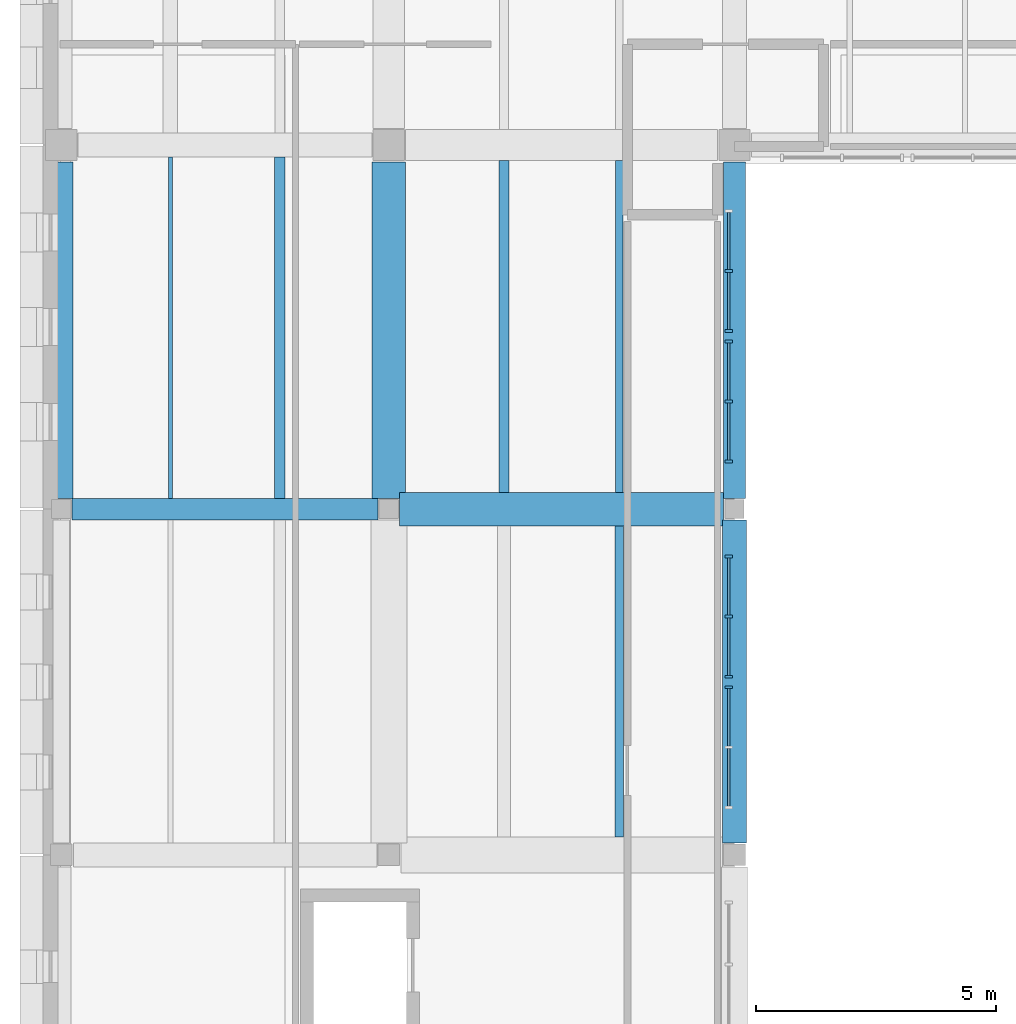
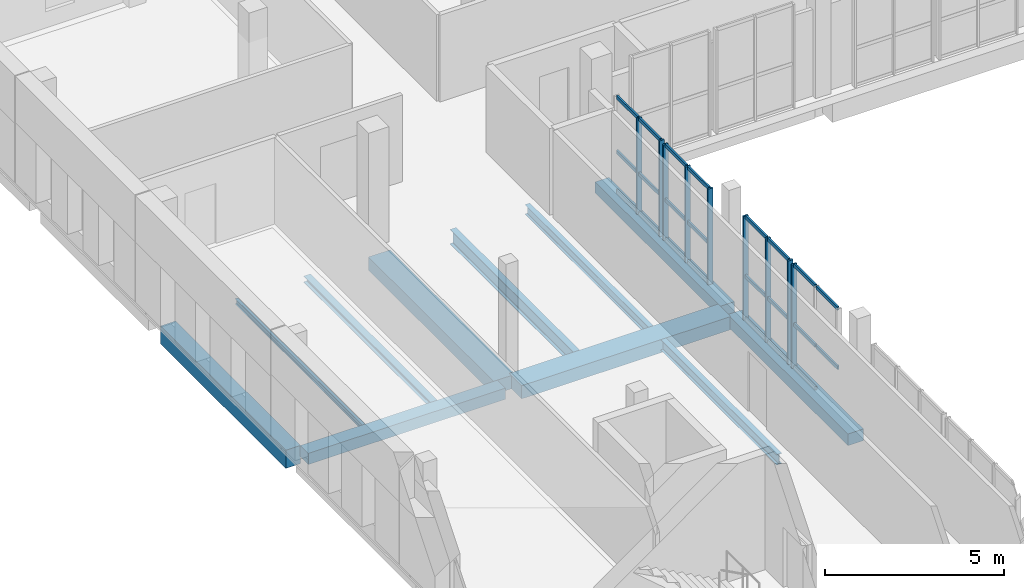
# One storey, part 23 of 76: 32 members, 11 beams, 4 elements without a shape of their own.
"""IFC4 building model written with IfcOpenShell, lengths in metres."""

from ifc_helpers import new_model, si_unit, direction, frame, origin, origin_2d, place, context, subcontext, project, spatial, rectangle, i_section, extrude, material, layer, layer_set, material_profile, profile_set, type_object, element, aggregate, save


model = new_model("IFC4")

# Units and contexts
model_context = context("Model", 3, precision=1e-05, world=origin(), true_north=direction((0.0, 1.0)))
body_context = subcontext(model_context, "Body", "Model", "MODEL_VIEW")
ifc_project = project(units=[si_unit("LENGTHUNIT", "METRE"), si_unit("AREAUNIT", "SQUARE_METRE"), si_unit("VOLUMEUNIT", "CUBIC_METRE"), si_unit("PLANEANGLEUNIT", "RADIAN"), si_unit("MASSUNIT", "GRAM", prefix="KILO")], contexts=[model_context])

# Site, building, storey
site_placement = place(None, origin())
site = spatial("IfcSite", under=ifc_project, at=site_placement, CompositionType="ELEMENT")
building_placement = place(site_placement, origin())
building = spatial("IfcBuilding", under=site, at=building_placement, Name="Vardoun Plaza Health Centre", CompositionType="ELEMENT")
storey_placement = place(building_placement, frame((0.0, 0.0, 4.5)))
storey = spatial("IfcBuildingStorey", under=building, at=storey_placement, Name="L01", CompositionType="ELEMENT", Elevation=4.5)

# Beams
ifc_material_1 = material(Name="Concrete C35/45", Category="concrete")
ifc_material_profile_1 = material_profile(ifc_material_1, rectangle(XDim=0.449951171875, YDim=0.3798828125, at=origin_2d()), Name="RC-BM 450x380")
ifc_profile_set_1 = profile_set([ifc_material_profile_1], Name="Concrete C35/45")
beam_type_1 = type_object("IfcBeamType", Name="B-01", PredefinedType="BEAM", material=ifc_profile_set_1)
beam_1_placement = place(storey_placement, frame((5.10498046875, 93.900146484375, -0.455078125), z_axis=(1.0, 0.0, 0.0), x_axis=(0.0, 1.0, 0.0)))
element("IfcBeam", 1, at=beam_1_placement, inside=storey, type_object=beam_type_1, Name="V3 L01 Beam B-V3-L01-X03", PredefinedType="BEAM", context=body_context, shape_type="SweptSolid", body=[
    extrude(rectangle(XDim=0.449951171875, YDim=0.3798828125, at=origin_2d()), origin(), (0.0, 0.0, 1.0), 6.3701171875),
])
beam_2_placement = place(storey_placement, frame((18.89990234375, 94.125, -0.455078125), z_axis=(0.0, 1.0, 0.0), x_axis=(-1.0, 0.0, 0.0)))
element("IfcBeam", 2, at=beam_2_placement, inside=storey, type_object=beam_type_1, Name="V3 L01 Beam B-V3-L01-Y36", PredefinedType="BEAM", context=body_context, shape_type="SweptSolid", body=[
    extrude(rectangle(XDim=0.449951171875, YDim=0.3798828125, at=origin_2d()), origin(), (0.0, 0.0, 1.0), 7.0048828125),
])
ifc_material_2 = material(Name="Concrete C35/45", Category="concrete")
ifc_material_profile_2 = material_profile(ifc_material_2, rectangle(XDim=0.47998046875, YDim=0.6201171875, at=origin_2d()), Name="RC-BM 480x620")
ifc_profile_set_2 = profile_set([ifc_material_profile_2], Name="Concrete C35/45")
beam_type_2 = type_object("IfcBeamType", Name="B-12", PredefinedType="SPANDREL", material=ifc_profile_set_2)
beam_3_placement = place(storey_placement, frame((4.8798828125, 94.125, -0.574951171875), z_axis=(0.0, 1.0, 0.0), x_axis=(-1.0, 0.0, 0.0)))
element("IfcBeam", 3, at=beam_3_placement, inside=storey, type_object=beam_type_2, Name="V3 L01 Beam B-V3-L01-Y27", PredefinedType="SPANDREL", context=body_context, shape_type="SweptSolid", body=[
    extrude(rectangle(XDim=0.47998046875, YDim=0.6201171875, at=origin_2d()), origin(), (0.0, 0.0, 1.0), 7.0048828125),
])
ifc_material_3 = material(Name="Concrete C35/45", Category="concrete")
ifc_material_profile_3 = material_profile(ifc_material_3, rectangle(XDim=0.5, YDim=0.39990234375, at=origin_2d()), Name="RC-BM 500x400")
ifc_profile_set_3 = profile_set([ifc_material_profile_3], Name="Concrete C35/45")
beam_type_3 = type_object("IfcBeamType", Name="B-02", PredefinedType="BEAM", material=ifc_profile_set_3)
beam_4_placement = place(storey_placement, frame((18.89990234375, 86.949951171875, -0.465087890625), z_axis=(0.0, 1.0, 0.0), x_axis=(-1.0, 0.0, 0.0)))
element("IfcBeam", 4, at=beam_4_placement, inside=storey, type_object=beam_type_3, Name="V3 L01 Beam B-V3-L01-Y35", PredefinedType="BEAM", context=body_context, shape_type="SweptSolid", body=[
    extrude(rectangle(XDim=0.5, YDim=0.39990234375, at=origin_2d()), origin(), (0.0, 0.0, 1.0), 6.72509765625),
])
ifc_material_4 = material(Name="Concrete C35/45", Category="concrete")
ifc_material_profile_4 = material_profile(ifc_material_4, rectangle(XDim=0.699951171875, YDim=0.449951171875, at=origin_2d()), Name="RC-BM 700x450")
ifc_profile_set_4 = profile_set([ifc_material_profile_4], Name="Concrete C35/45")
beam_type_4 = type_object("IfcBeamType", Name="B-06", PredefinedType="BEAM", material=ifc_profile_set_4)
beam_5_placement = place(storey_placement, frame((11.925048828125, 93.900146484375, -0.489990234375), z_axis=(1.0, 0.0, 0.0), x_axis=(0.0, 1.0, 0.0)))
element("IfcBeam", 5, at=beam_5_placement, inside=storey, type_object=beam_type_4, Name="V3 L01 Beam B-V3-L01-X09", PredefinedType="BEAM", context=body_context, shape_type="SweptSolid", body=[
    extrude(rectangle(XDim=0.699951171875, YDim=0.449951171875, at=origin_2d()), origin(), (0.0, 0.0, 1.0), 6.75),
])
beam_6_placement = place(storey_placement, frame((11.699951171875, 94.125, -0.489990234375), z_axis=(0.0, 1.0, 0.0), x_axis=(-1.0, 0.0, 0.0)))
element("IfcBeam", 6, at=beam_6_placement, inside=storey, type_object=beam_type_4, Name="V3 L01 Beam B-V3-L01-Y31", PredefinedType="BEAM", context=body_context, shape_type="SweptSolid", body=[
    extrude(rectangle(XDim=0.699951171875, YDim=0.449951171875, at=origin_2d()), origin(), (0.0, 0.0, 1.0), 7.0048828125),
])
ifc_material_5 = material(Name="Steel S355J2", Category="steel")
ifc_material_profile_5 = material_profile(ifc_material_5, i_section(OverallWidth=0.219970703125, OverallDepth=0.2099609375, WebThickness=0.007080078125, FlangeThickness=0.010986328125, FilletRadius=0.01806640625, at=origin_2d()), Name="HEA 220")
ifc_profile_set_5 = profile_set([ifc_material_profile_5], Name="Steel S355J2")
beam_type_5 = type_object("IfcBeamType", Name="SB-08", PredefinedType="BEAM", material=ifc_profile_set_5)
beam_7_placement = place(storey_placement, frame((9.427001953125, 94.125, -0.3701171875), z_axis=(0.0, 1.0, 0.0), x_axis=(-1.0, 0.0, 0.0)))
element("IfcBeam", 7, at=beam_7_placement, inside=storey, type_object=beam_type_5, Name="V3 L01 Secondary Floor Beam SJ-V3-L01-06", PredefinedType="BEAM", context=body_context, shape_type="SweptSolid", body=[
    extrude(i_section(OverallWidth=0.219970703125, OverallDepth=0.2099609375, WebThickness=0.007080078125, FlangeThickness=0.010986328125, FilletRadius=0.01806640625, at=origin_2d()), origin(), (0.0, 0.0, 1.0), 7.10498046875),
])
ifc_material_6 = material(Name="Steel S355J2", Category="steel")
ifc_material_profile_6 = material_profile(ifc_material_6, i_section(OverallWidth=0.091064453125, OverallDepth=0.179931640625, WebThickness=0.00537109375, FlangeThickness=0.008056640625, FilletRadius=0.009033203125, at=origin_2d()), Name="IPE 180")
ifc_profile_set_6 = profile_set([ifc_material_profile_6], Name="Steel S355J2")
beam_type_6 = type_object("IfcBeamType", Name="SB-20", PredefinedType="SPANDREL", material=ifc_profile_set_6)
beam_8_placement = place(storey_placement, frame((7.153076171875, 94.125, -0.35498046875), z_axis=(0.0, 1.0, 0.0), x_axis=(-1.0, 0.0, 0.0)))
element("IfcBeam", 8, at=beam_8_placement, inside=storey, type_object=beam_type_6, Name="V3 L01 Secondary Floor Beam SJ-V3-L01-02", PredefinedType="SPANDREL", context=body_context, shape_type="SweptSolid", body=[
    extrude(i_section(OverallWidth=0.091064453125, OverallDepth=0.179931640625, WebThickness=0.00537109375, FlangeThickness=0.008056640625, FilletRadius=0.009033203125, at=origin_2d()), origin(), (0.0, 0.0, 1.0), 7.10498046875),
])
ifc_material_7 = material(Name="Steel S355J2", Category="steel")
ifc_material_profile_7 = material_profile(ifc_material_7, i_section(OverallWidth=0.159912109375, OverallDepth=0.330078125, WebThickness=0.007568359375, FlangeThickness=0.011474609375, FilletRadius=0.01806640625, at=origin_2d()), Name="IPE 330")
ifc_profile_set_7 = profile_set([ifc_material_profile_7], Name="Steel S355J2")
beam_type_7 = type_object("IfcBeamType", Name="SB-14", PredefinedType="JOIST", material=ifc_profile_set_7)
beam_9_placement = place(storey_placement, frame((16.500244140625, 94.25, -0.429931640625), z_axis=(0.0, 1.0, 0.0), x_axis=(-1.0, 0.0, 0.0)))
element("IfcBeam", 9, at=beam_9_placement, inside=storey, type_object=beam_type_7, Name="V3 L01 Secondary Floor Beam SJ-V3-L01-14", PredefinedType="JOIST", context=body_context, shape_type="SweptSolid", body=[
    extrude(i_section(OverallWidth=0.159912109375, OverallDepth=0.330078125, WebThickness=0.007568359375, FlangeThickness=0.011474609375, FilletRadius=0.01806640625, at=origin_2d()), origin(), (0.0, 0.0, 1.0), 6.905029296875),
])
ifc_material_8 = material(Name="Steel S355J2", Category="steel")
ifc_material_profile_8 = material_profile(ifc_material_8, i_section(OverallWidth=0.169921875, OverallDepth=0.360107421875, WebThickness=0.008056640625, FlangeThickness=0.0126953125, FilletRadius=0.01806640625, at=origin_2d()), Name="IPE 360")
ifc_profile_set_8 = profile_set([ifc_material_profile_8], Name="Steel S355J2")
beam_type_8 = type_object("IfcBeamType", Name="SB-13", PredefinedType="JOIST", material=ifc_profile_set_8)
beam_10_placement = place(storey_placement, frame((16.500244140625, 87.074951171875, -0.445068359375), z_axis=(0.0, 1.0, 0.0), x_axis=(-1.0, 0.0, 0.0)))
element("IfcBeam", 10, at=beam_10_placement, inside=storey, type_object=beam_type_8, Name="V3 L01 Secondary Floor Beam SJ-V3-L01-13", PredefinedType="JOIST", context=body_context, shape_type="SweptSolid", body=[
    extrude(i_section(OverallWidth=0.169921875, OverallDepth=0.360107421875, WebThickness=0.008056640625, FlangeThickness=0.0126953125, FilletRadius=0.01806640625, at=origin_2d()), origin(), (0.0, 0.0, 1.0), 6.47509765625),
])
ifc_material_9 = material(Name="Steel S355J2", Category="steel")
ifc_material_profile_9 = material_profile(ifc_material_9, i_section(OverallWidth=0.199951171875, OverallDepth=0.5, WebThickness=0.01025390625, FlangeThickness=0.01611328125, FilletRadius=0.02099609375, at=origin_2d()), Name="IPE 500")
ifc_profile_set_9 = profile_set([ifc_material_profile_9], Name="Steel S355J2")
beam_type_9 = type_object("IfcBeamType", Name="SB-10", PredefinedType="BEAM", material=ifc_profile_set_9)
beam_11_placement = place(storey_placement, frame((14.099853515625, 94.25, -0.514892578125), z_axis=(0.0, 1.0, 0.0), x_axis=(-1.0, 0.0, 0.0)))
element("IfcBeam", 11, at=beam_11_placement, inside=storey, type_object=beam_type_9, Name="V3 L01 Secondary Floor Beam SJ-V3-L01-10", PredefinedType="BEAM", context=body_context, shape_type="SweptSolid", body=[
    extrude(i_section(OverallWidth=0.199951171875, OverallDepth=0.5, WebThickness=0.01025390625, FlangeThickness=0.01611328125, FilletRadius=0.02099609375, at=origin_2d()), origin(), (0.0, 0.0, 1.0), 6.905029296875),
])

# Curtain wall, members
ifc_material_10 = material(Name="Aluminium Alloy EN AW-6063-T6 and Low-E Glass", Category="aluminium")
ifc_layer = layer(ifc_material_10, 0.159912109375)
ifc_layer_set = layer_set([ifc_layer], Name="Aluminium Alloy EN AW-6063-T6 and Low-E Glass")
curtain_wall_type = type_object("IfcCurtainWallType", Name="CW-02", PredefinedType="USERDEFINED", material=ifc_layer_set)
curtain_wall_1_placement = place(storey_placement, origin())
curtain_wall_1 = element("IfcCurtainWall", 12, at=curtain_wall_1_placement, inside=storey, type_object=curtain_wall_type, Name="Curtain Wall CW-V3-067", ObjectType="COURTYARD_CURTAIN_WALL", PredefinedType="USERDEFINED")
ifc_material_11 = material(Name="Aluminium Alloy EN AW-6063-T6", Category="aluminium")
ifc_material_profile_10 = material_profile(ifc_material_11, rectangle(XDim=0.159912109375, YDim=0.06005859375, at=origin_2d()), Name="CWM 60x160")
ifc_profile_set_10 = profile_set([ifc_material_profile_10], Name="Aluminium Alloy EN AW-6063-T6")
member_type_1 = type_object("IfcMemberType", Name="CW-M1", PredefinedType="MULLION", material=ifc_profile_set_10)
member_1_placement = place(storey_placement, frame((18.780029296875, 98.860107421875, 0.0), z_axis=(0.0, 0.0, 1.0), x_axis=(1.0, 0.0, 0.0)))
member_1 = element("IfcMember", 13, at=member_1_placement, type_object=member_type_1, Name="CW-V3-067 mullion 2", PredefinedType="MULLION", context=body_context, shape_type="SweptSolid", body=[
    extrude(rectangle(XDim=0.159912109375, YDim=0.06005859375, at=origin_2d()), origin(), (0.0, 0.0, 1.0), 3.27001953125),
])
member_2_placement = place(storey_placement, frame((18.780029296875, 97.610107421875, 0.0), z_axis=(0.0, 0.0, 1.0), x_axis=(1.0, 0.0, 0.0)))
member_2 = element("IfcMember", 14, at=member_2_placement, type_object=member_type_1, Name="CW-V3-067 mullion 3", PredefinedType="MULLION", context=body_context, shape_type="SweptSolid", body=[
    extrude(rectangle(XDim=0.159912109375, YDim=0.06005859375, at=origin_2d()), origin(), (0.0, 0.0, 1.0), 3.27001953125),
])

curtain_wall_2_placement = place(storey_placement, origin())
curtain_wall_2 = element("IfcCurtainWall", 15, at=curtain_wall_2_placement, inside=storey, type_object=curtain_wall_type, Name="Curtain Wall CW-V3-068", ObjectType="COURTYARD_CURTAIN_WALL", PredefinedType="USERDEFINED")
member_3_placement = place(storey_placement, frame((18.780029296875, 97.389892578125, 0.0), z_axis=(0.0, 0.0, 1.0), x_axis=(1.0, 0.0, 0.0)))
member_3 = element("IfcMember", 16, at=member_3_placement, type_object=member_type_1, Name="CW-V3-068 mullion 1", PredefinedType="MULLION", context=body_context, shape_type="SweptSolid", body=[
    extrude(rectangle(XDim=0.159912109375, YDim=0.06005859375, at=origin_2d()), origin(), (0.0, 0.0, 1.0), 3.27001953125),
])
member_4_placement = place(storey_placement, frame((18.780029296875, 96.139892578125, 0.0), z_axis=(0.0, 0.0, 1.0), x_axis=(1.0, 0.0, 0.0)))
member_4 = element("IfcMember", 17, at=member_4_placement, type_object=member_type_1, Name="CW-V3-068 mullion 2", PredefinedType="MULLION", context=body_context, shape_type="SweptSolid", body=[
    extrude(rectangle(XDim=0.159912109375, YDim=0.06005859375, at=origin_2d()), origin(), (0.0, 0.0, 1.0), 3.27001953125),
])
member_5_placement = place(storey_placement, frame((18.780029296875, 94.889892578125, 0.0), z_axis=(0.0, 0.0, 1.0), x_axis=(1.0, 0.0, 0.0)))
member_5 = element("IfcMember", 18, at=member_5_placement, type_object=member_type_1, Name="CW-V3-068 mullion 3", PredefinedType="MULLION", context=body_context, shape_type="SweptSolid", body=[
    extrude(rectangle(XDim=0.159912109375, YDim=0.06005859375, at=origin_2d()), origin(), (0.0, 0.0, 1.0), 3.27001953125),
])

curtain_wall_3_placement = place(storey_placement, origin())
curtain_wall_3 = element("IfcCurtainWall", 19, at=curtain_wall_3_placement, inside=storey, type_object=curtain_wall_type, Name="Curtain Wall CW-V3-069", ObjectType="COURTYARD_CURTAIN_WALL", PredefinedType="USERDEFINED")
member_6_placement = place(storey_placement, frame((18.780029296875, 92.909912109375, 0.0), z_axis=(0.0, 0.0, 1.0), x_axis=(1.0, 0.0, 0.0)))
member_6 = element("IfcMember", 20, at=member_6_placement, type_object=member_type_1, Name="CW-V3-069 mullion 1", PredefinedType="MULLION", context=body_context, shape_type="SweptSolid", body=[
    extrude(rectangle(XDim=0.159912109375, YDim=0.06005859375, at=origin_2d()), origin(), (0.0, 0.0, 1.0), 3.5400390625),
])
member_7_placement = place(storey_placement, frame((18.780029296875, 91.659912109375, 0.0), z_axis=(0.0, 0.0, 1.0), x_axis=(1.0, 0.0, 0.0)))
member_7 = element("IfcMember", 21, at=member_7_placement, type_object=member_type_1, Name="CW-V3-069 mullion 2", PredefinedType="MULLION", context=body_context, shape_type="SweptSolid", body=[
    extrude(rectangle(XDim=0.159912109375, YDim=0.06005859375, at=origin_2d()), origin(), (0.0, 0.0, 1.0), 3.5400390625),
])
member_8_placement = place(storey_placement, frame((18.780029296875, 90.409912109375, 0.0), z_axis=(0.0, 0.0, 1.0), x_axis=(1.0, 0.0, 0.0)))
member_8 = element("IfcMember", 22, at=member_8_placement, type_object=member_type_1, Name="CW-V3-069 mullion 3", PredefinedType="MULLION", context=body_context, shape_type="SweptSolid", body=[
    extrude(rectangle(XDim=0.159912109375, YDim=0.06005859375, at=origin_2d()), origin(), (0.0, 0.0, 1.0), 3.5400390625),
])

# Curtain wall, member
curtain_wall_4_placement = place(storey_placement, origin())
curtain_wall_4 = element("IfcCurtainWall", 23, at=curtain_wall_4_placement, inside=storey, type_object=curtain_wall_type, Name="Curtain Wall CW-V3-070", ObjectType="COURTYARD_CURTAIN_WALL", PredefinedType="USERDEFINED")
member_9_placement = place(storey_placement, frame((18.780029296875, 90.190185546875, 0.0), z_axis=(0.0, 0.0, 1.0), x_axis=(1.0, 0.0, 0.0)))
member_9 = element("IfcMember", 24, at=member_9_placement, type_object=member_type_1, Name="CW-V3-070 mullion 1", PredefinedType="MULLION", context=body_context, shape_type="SweptSolid", body=[
    extrude(rectangle(XDim=0.159912109375, YDim=0.06005859375, at=origin_2d()), origin(), (0.0, 0.0, 1.0), 3.5400390625),
])

# Member
ifc_material_12 = material(Name="Aluminium Alloy EN AW-6063-T6", Category="aluminium")
ifc_material_profile_11 = material_profile(ifc_material_12, rectangle(XDim=0.06005859375, YDim=0.1201171875, at=origin_2d()), Name="CWT 60x120")
ifc_profile_set_11 = profile_set([ifc_material_profile_11], Name="Aluminium Alloy EN AW-6063-T6")
member_type_2 = type_object("IfcMemberType", Name="CW-T1", PredefinedType="USERDEFINED", material=ifc_profile_set_11)
member_10_placement = place(storey_placement, frame((18.780029296875, 100.080078125, 0.030029296875), z_axis=(0.0, -1.0, 0.0), x_axis=(1.0, 0.0, 0.0)))
member_10 = element("IfcMember", 25, at=member_10_placement, type_object=member_type_2, Name="CW-V3-067 transom 1.1", ObjectType="TRANSOM", PredefinedType="USERDEFINED", context=body_context, shape_type="SweptSolid", body=[
    extrude(rectangle(XDim=0.06005859375, YDim=0.1201171875, at=origin_2d()), origin(), (0.0, 0.0, 1.0), 1.190185546875),
])

member_11_placement = place(storey_placement, frame((18.780029296875, 100.080078125, 1.373291015625), z_axis=(0.0, -1.0, 0.0), x_axis=(1.0, 0.0, 0.0)))
member_11 = element("IfcMember", 26, at=member_11_placement, type_object=member_type_2, Name="CW-V3-067 transom 1.2", ObjectType="TRANSOM", PredefinedType="USERDEFINED", context=body_context, shape_type="SweptSolid", body=[
    extrude(rectangle(XDim=0.06005859375, YDim=0.1201171875, at=origin_2d()), origin(), (0.0, 0.0, 1.0), 1.190185546875),
])

member_12_placement = place(storey_placement, frame((18.780029296875, 100.080078125, 3.239990234375), z_axis=(0.0, -1.0, 0.0), x_axis=(1.0, 0.0, 0.0)))
member_12 = element("IfcMember", 27, at=member_12_placement, type_object=member_type_2, Name="CW-V3-067 transom 1.3", ObjectType="TRANSOM", PredefinedType="USERDEFINED", context=body_context, shape_type="SweptSolid", body=[
    extrude(rectangle(XDim=0.06005859375, YDim=0.1201171875, at=origin_2d()), origin(), (0.0, 0.0, 1.0), 1.190185546875),
])

member_13_placement = place(storey_placement, frame((18.780029296875, 98.830078125, 0.030029296875), z_axis=(0.0, -1.0, 0.0), x_axis=(1.0, 0.0, 0.0)))
member_13 = element("IfcMember", 28, at=member_13_placement, type_object=member_type_2, Name="CW-V3-067 transom 2.1", ObjectType="TRANSOM", PredefinedType="USERDEFINED", context=body_context, shape_type="SweptSolid", body=[
    extrude(rectangle(XDim=0.06005859375, YDim=0.1201171875, at=origin_2d()), origin(), (0.0, 0.0, 1.0), 1.190185546875),
])

member_14_placement = place(storey_placement, frame((18.780029296875, 98.830078125, 1.373291015625), z_axis=(0.0, -1.0, 0.0), x_axis=(1.0, 0.0, 0.0)))
member_14 = element("IfcMember", 29, at=member_14_placement, type_object=member_type_2, Name="CW-V3-067 transom 2.2", ObjectType="TRANSOM", PredefinedType="USERDEFINED", context=body_context, shape_type="SweptSolid", body=[
    extrude(rectangle(XDim=0.06005859375, YDim=0.1201171875, at=origin_2d()), origin(), (0.0, 0.0, 1.0), 1.190185546875),
])

member_15_placement = place(storey_placement, frame((18.780029296875, 98.830078125, 3.239990234375), z_axis=(0.0, -1.0, 0.0), x_axis=(1.0, 0.0, 0.0)))
member_15 = element("IfcMember", 30, at=member_15_placement, type_object=member_type_2, Name="CW-V3-067 transom 2.3", ObjectType="TRANSOM", PredefinedType="USERDEFINED", context=body_context, shape_type="SweptSolid", body=[
    extrude(rectangle(XDim=0.06005859375, YDim=0.1201171875, at=origin_2d()), origin(), (0.0, 0.0, 1.0), 1.190185546875),
])

aggregate(curtain_wall_1, [member_1, member_2, member_10, member_11, member_12, member_13, member_14, member_15])

member_16_placement = place(storey_placement, frame((18.780029296875, 97.360107421875, 0.030029296875), z_axis=(0.0, -1.0, 0.0), x_axis=(1.0, 0.0, 0.0)))
member_16 = element("IfcMember", 31, at=member_16_placement, type_object=member_type_2, Name="CW-V3-068 transom 1.1", ObjectType="TRANSOM", PredefinedType="USERDEFINED", context=body_context, shape_type="SweptSolid", body=[
    extrude(rectangle(XDim=0.06005859375, YDim=0.1201171875, at=origin_2d()), origin(), (0.0, 0.0, 1.0), 1.190185546875),
])

member_17_placement = place(storey_placement, frame((18.780029296875, 97.360107421875, 1.373291015625), z_axis=(0.0, -1.0, 0.0), x_axis=(1.0, 0.0, 0.0)))
member_17 = element("IfcMember", 32, at=member_17_placement, type_object=member_type_2, Name="CW-V3-068 transom 1.2", ObjectType="TRANSOM", PredefinedType="USERDEFINED", context=body_context, shape_type="SweptSolid", body=[
    extrude(rectangle(XDim=0.06005859375, YDim=0.1201171875, at=origin_2d()), origin(), (0.0, 0.0, 1.0), 1.190185546875),
])

member_18_placement = place(storey_placement, frame((18.780029296875, 97.360107421875, 3.239990234375), z_axis=(0.0, -1.0, 0.0), x_axis=(1.0, 0.0, 0.0)))
member_18 = element("IfcMember", 33, at=member_18_placement, type_object=member_type_2, Name="CW-V3-068 transom 1.3", ObjectType="TRANSOM", PredefinedType="USERDEFINED", context=body_context, shape_type="SweptSolid", body=[
    extrude(rectangle(XDim=0.06005859375, YDim=0.1201171875, at=origin_2d()), origin(), (0.0, 0.0, 1.0), 1.190185546875),
])

member_19_placement = place(storey_placement, frame((18.780029296875, 96.110107421875, 0.030029296875), z_axis=(0.0, -1.0, 0.0), x_axis=(1.0, 0.0, 0.0)))
member_19 = element("IfcMember", 34, at=member_19_placement, type_object=member_type_2, Name="CW-V3-068 transom 2.1", ObjectType="TRANSOM", PredefinedType="USERDEFINED", context=body_context, shape_type="SweptSolid", body=[
    extrude(rectangle(XDim=0.06005859375, YDim=0.1201171875, at=origin_2d()), origin(), (0.0, 0.0, 1.0), 1.190185546875),
])

member_20_placement = place(storey_placement, frame((18.780029296875, 96.110107421875, 1.373291015625), z_axis=(0.0, -1.0, 0.0), x_axis=(1.0, 0.0, 0.0)))
member_20 = element("IfcMember", 35, at=member_20_placement, type_object=member_type_2, Name="CW-V3-068 transom 2.2", ObjectType="TRANSOM", PredefinedType="USERDEFINED", context=body_context, shape_type="SweptSolid", body=[
    extrude(rectangle(XDim=0.06005859375, YDim=0.1201171875, at=origin_2d()), origin(), (0.0, 0.0, 1.0), 1.190185546875),
])

member_21_placement = place(storey_placement, frame((18.780029296875, 96.110107421875, 3.239990234375), z_axis=(0.0, -1.0, 0.0), x_axis=(1.0, 0.0, 0.0)))
member_21 = element("IfcMember", 36, at=member_21_placement, type_object=member_type_2, Name="CW-V3-068 transom 2.3", ObjectType="TRANSOM", PredefinedType="USERDEFINED", context=body_context, shape_type="SweptSolid", body=[
    extrude(rectangle(XDim=0.06005859375, YDim=0.1201171875, at=origin_2d()), origin(), (0.0, 0.0, 1.0), 1.190185546875),
])

aggregate(curtain_wall_2, [member_3, member_4, member_5, member_16, member_17, member_18, member_19, member_20, member_21])

member_22_placement = place(storey_placement, frame((18.780029296875, 92.8798828125, 0.030029296875), z_axis=(0.0, -1.0, 0.0), x_axis=(1.0, 0.0, 0.0)))
member_22 = element("IfcMember", 37, at=member_22_placement, type_object=member_type_2, Name="CW-V3-069 transom 1.1", ObjectType="TRANSOM", PredefinedType="USERDEFINED", context=body_context, shape_type="SweptSolid", body=[
    extrude(rectangle(XDim=0.06005859375, YDim=0.1201171875, at=origin_2d()), origin(), (0.0, 0.0, 1.0), 1.189697265625),
])

member_23_placement = place(storey_placement, frame((18.780029296875, 92.8798828125, 1.48681640625), z_axis=(0.0, -1.0, 0.0), x_axis=(1.0, 0.0, 0.0)))
member_23 = element("IfcMember", 38, at=member_23_placement, type_object=member_type_2, Name="CW-V3-069 transom 1.2", ObjectType="TRANSOM", PredefinedType="USERDEFINED", context=body_context, shape_type="SweptSolid", body=[
    extrude(rectangle(XDim=0.06005859375, YDim=0.1201171875, at=origin_2d()), origin(), (0.0, 0.0, 1.0), 1.189697265625),
])

member_24_placement = place(storey_placement, frame((18.780029296875, 92.8798828125, 3.510009765625), z_axis=(0.0, -1.0, 0.0), x_axis=(1.0, 0.0, 0.0)))
member_24 = element("IfcMember", 39, at=member_24_placement, type_object=member_type_2, Name="CW-V3-069 transom 1.3", ObjectType="TRANSOM", PredefinedType="USERDEFINED", context=body_context, shape_type="SweptSolid", body=[
    extrude(rectangle(XDim=0.06005859375, YDim=0.1201171875, at=origin_2d()), origin(), (0.0, 0.0, 1.0), 1.189697265625),
])

member_25_placement = place(storey_placement, frame((18.780029296875, 91.6298828125, 0.030029296875), z_axis=(0.0, -1.0, 0.0), x_axis=(1.0, 0.0, 0.0)))
member_25 = element("IfcMember", 40, at=member_25_placement, type_object=member_type_2, Name="CW-V3-069 transom 2.1", ObjectType="TRANSOM", PredefinedType="USERDEFINED", context=body_context, shape_type="SweptSolid", body=[
    extrude(rectangle(XDim=0.06005859375, YDim=0.1201171875, at=origin_2d()), origin(), (0.0, 0.0, 1.0), 1.189697265625),
])

member_26_placement = place(storey_placement, frame((18.780029296875, 91.6298828125, 1.48681640625), z_axis=(0.0, -1.0, 0.0), x_axis=(1.0, 0.0, 0.0)))
member_26 = element("IfcMember", 41, at=member_26_placement, type_object=member_type_2, Name="CW-V3-069 transom 2.2", ObjectType="TRANSOM", PredefinedType="USERDEFINED", context=body_context, shape_type="SweptSolid", body=[
    extrude(rectangle(XDim=0.06005859375, YDim=0.1201171875, at=origin_2d()), origin(), (0.0, 0.0, 1.0), 1.189697265625),
])

member_27_placement = place(storey_placement, frame((18.780029296875, 91.6298828125, 3.510009765625), z_axis=(0.0, -1.0, 0.0), x_axis=(1.0, 0.0, 0.0)))
member_27 = element("IfcMember", 42, at=member_27_placement, type_object=member_type_2, Name="CW-V3-069 transom 2.3", ObjectType="TRANSOM", PredefinedType="USERDEFINED", context=body_context, shape_type="SweptSolid", body=[
    extrude(rectangle(XDim=0.06005859375, YDim=0.1201171875, at=origin_2d()), origin(), (0.0, 0.0, 1.0), 1.189697265625),
])

aggregate(curtain_wall_3, [member_6, member_7, member_8, member_22, member_23, member_24, member_25, member_26, member_27])

member_28_placement = place(storey_placement, frame((18.780029296875, 90.159912109375, 0.030029296875), z_axis=(0.0, -1.0, 0.0), x_axis=(1.0, 0.0, 0.0)))
member_28 = element("IfcMember", 43, at=member_28_placement, type_object=member_type_2, Name="CW-V3-070 transom 1.1", ObjectType="TRANSOM", PredefinedType="USERDEFINED", context=body_context, shape_type="SweptSolid", body=[
    extrude(rectangle(XDim=0.06005859375, YDim=0.1201171875, at=origin_2d()), origin(), (0.0, 0.0, 1.0), 1.18994140625),
])

member_29_placement = place(storey_placement, frame((18.780029296875, 90.159912109375, 1.48681640625), z_axis=(0.0, -1.0, 0.0), x_axis=(1.0, 0.0, 0.0)))
member_29 = element("IfcMember", 44, at=member_29_placement, type_object=member_type_2, Name="CW-V3-070 transom 1.2", ObjectType="TRANSOM", PredefinedType="USERDEFINED", context=body_context, shape_type="SweptSolid", body=[
    extrude(rectangle(XDim=0.06005859375, YDim=0.1201171875, at=origin_2d()), origin(), (0.0, 0.0, 1.0), 1.18994140625),
])

member_30_placement = place(storey_placement, frame((18.780029296875, 90.159912109375, 3.510009765625), z_axis=(0.0, -1.0, 0.0), x_axis=(1.0, 0.0, 0.0)))
member_30 = element("IfcMember", 45, at=member_30_placement, type_object=member_type_2, Name="CW-V3-070 transom 1.3", ObjectType="TRANSOM", PredefinedType="USERDEFINED", context=body_context, shape_type="SweptSolid", body=[
    extrude(rectangle(XDim=0.06005859375, YDim=0.1201171875, at=origin_2d()), origin(), (0.0, 0.0, 1.0), 1.18994140625),
])

member_31_placement = place(storey_placement, frame((18.780029296875, 88.909912109375, 1.48681640625), z_axis=(0.0, -1.0, 0.0), x_axis=(1.0, 0.0, 0.0)))
member_31 = element("IfcMember", 46, at=member_31_placement, type_object=member_type_2, Name="CW-V3-070 transom 2.2", ObjectType="TRANSOM", PredefinedType="USERDEFINED", context=body_context, shape_type="SweptSolid", body=[
    extrude(rectangle(XDim=0.06005859375, YDim=0.1201171875, at=origin_2d()), origin(), (0.0, 0.0, 1.0), 1.18994140625),
])

member_32_placement = place(storey_placement, frame((18.780029296875, 88.909912109375, 3.510009765625), z_axis=(0.0, -1.0, 0.0), x_axis=(1.0, 0.0, 0.0)))
member_32 = element("IfcMember", 47, at=member_32_placement, type_object=member_type_2, Name="CW-V3-070 transom 2.3", ObjectType="TRANSOM", PredefinedType="USERDEFINED", context=body_context, shape_type="SweptSolid", body=[
    extrude(rectangle(XDim=0.06005859375, YDim=0.1201171875, at=origin_2d()), origin(), (0.0, 0.0, 1.0), 1.18994140625),
])

aggregate(curtain_wall_4, [member_9, member_28, member_29, member_30, member_31, member_32])

save(model, "model.ifc")
